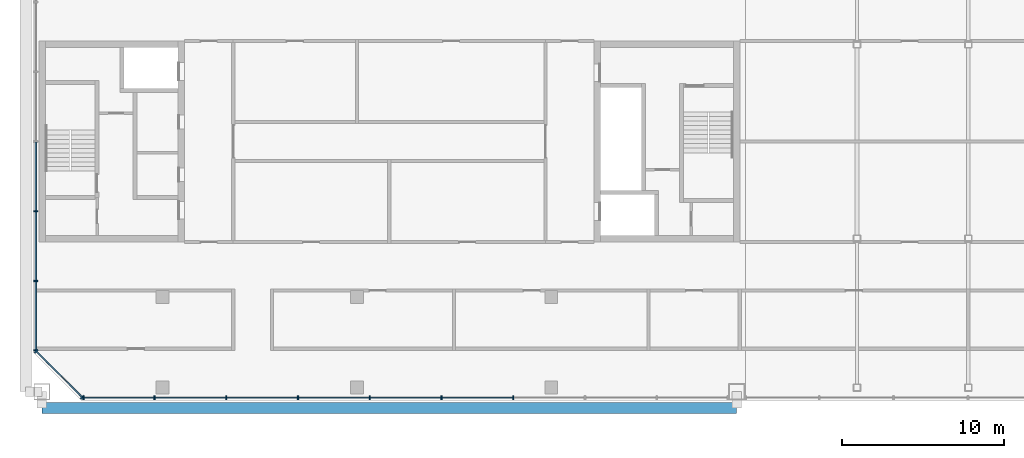
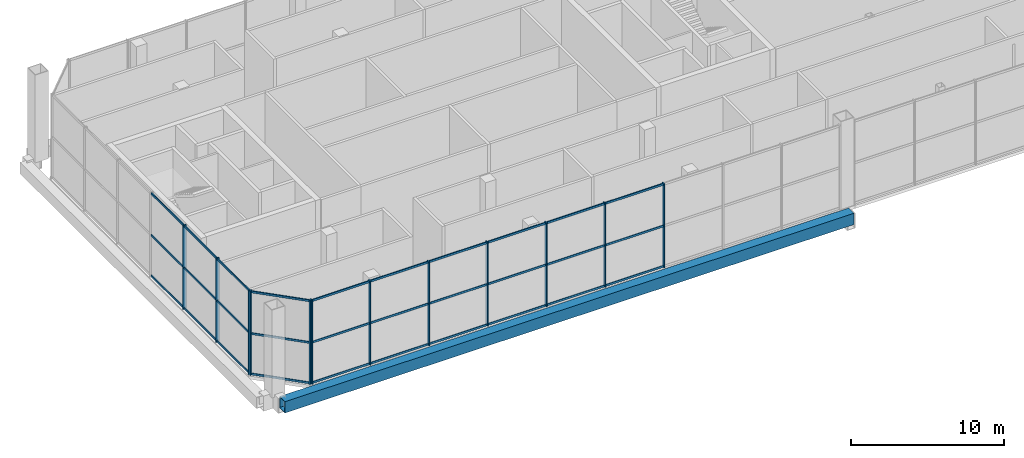
# One storey, part 4 of 27: 42 members, 1 beam, 3 elements without a shape of their own.
"""IFC4 building model written with IfcOpenShell, lengths in metres."""

from ifc_helpers import new_model, si_unit, direction, frame, origin, origin_2d, place, context, subcontext, project, spatial, rectangle, hollow_rectangle, extrude, material, material_profile, profile_set, type_object, element, aggregate, save


model = new_model("IFC4")

# Units and contexts
model_context = context("Model", 3, precision=1e-05, world=origin(), true_north=direction((0.0, 1.0)))
body_context = subcontext(model_context, "Body", "Model", "MODEL_VIEW")
ifc_project = project(units=[si_unit("LENGTHUNIT", "METRE"), si_unit("AREAUNIT", "SQUARE_METRE"), si_unit("VOLUMEUNIT", "CUBIC_METRE"), si_unit("PLANEANGLEUNIT", "RADIAN"), si_unit("MASSUNIT", "GRAM", prefix="KILO")], contexts=[model_context])

# Site, building, storey
site_placement = place(None, origin())
site = spatial("IfcSite", under=ifc_project, at=site_placement, CompositionType="ELEMENT")
building_placement = place(site_placement, origin())
building = spatial("IfcBuilding", under=site, at=building_placement, Name="Tuart Gate Housing", CompositionType="ELEMENT")
storey_placement = place(building_placement, frame((0.0, 0.0, 236.89990234375)))
storey = spatial("IfcBuildingStorey", under=building, at=storey_placement, Name="L67", CompositionType="ELEMENT", Elevation=236.89990234375)

# Curtain wall, members
ifc_material_1 = material(Name="Aluminium and clear glass", Category="aluminium")
curtain_wall_type = type_object("IfcCurtainWallType", Name="Damper floor glazing", PredefinedType="USERDEFINED", material=ifc_material_1)
curtain_wall_1_placement = place(storey_placement, origin())
curtain_wall_1 = element("IfcCurtainWall", 1, at=curtain_wall_1_placement, inside=storey, type_object=curtain_wall_type, Name="Damper floor glazing BLK-SW L67", ObjectType="DAMPER FLOOR GLAZING", PredefinedType="USERDEFINED")
ifc_material_2 = material(Name="Anodised aluminium", Category="aluminium")
ifc_material_profile_1 = material_profile(ifc_material_2, rectangle(XDim=0.080078125, YDim=0.25, at=origin_2d()), Name="80x250")
ifc_profile_set_1 = profile_set([ifc_material_profile_1], Name="Anodised aluminium")
member_type_1 = type_object("IfcMemberType", Name="Mullion 80 x 250", PredefinedType="MULLION", material=ifc_profile_set_1)
member_1_placement = place(storey_placement, frame((32.208251953125, 57.04638671875, 0.0), z_axis=(0.0, 0.0, 1.0), x_axis=(0.707106781187, -0.707106781187, 0.0)))
member_1 = element("IfcMember", 2, at=member_1_placement, type_object=member_type_1, Name="CW5 mullion 1", PredefinedType="MULLION", context=body_context, shape_type="SweptSolid", body=[
    extrude(rectangle(XDim=0.080078125, YDim=0.25, at=origin_2d()), origin(), (0.0, 0.0, 1.0), 6.7001953125),
])
member_2_placement = place(storey_placement, frame((35.04638671875, 54.208251953125, 0.0), z_axis=(0.0, 0.0, 1.0), x_axis=(0.707106781187, -0.707106781187, 0.0)))
member_2 = element("IfcMember", 3, at=member_2_placement, type_object=member_type_1, Name="CW5 mullion 2", PredefinedType="MULLION", context=body_context, shape_type="SweptSolid", body=[
    extrude(rectangle(XDim=0.080078125, YDim=0.25, at=origin_2d()), origin(), (0.0, 0.0, 1.0), 6.7001953125),
])

curtain_wall_2_placement = place(storey_placement, origin())
curtain_wall_2 = element("IfcCurtainWall", 4, at=curtain_wall_2_placement, inside=storey, type_object=curtain_wall_type, Name="Damper floor glazing BLK-S L67", ObjectType="DAMPER FLOOR GLAZING", PredefinedType="USERDEFINED")
member_3_placement = place(storey_placement, frame((35.114501953125, 54.179931640625, 0.0), z_axis=(0.0, 0.0, 1.0), x_axis=(1.0, 0.0, 0.0)))
member_3 = element("IfcMember", 5, at=member_3_placement, type_object=member_type_1, Name="CW5 mullion 1", PredefinedType="MULLION", context=body_context, shape_type="SweptSolid", body=[
    extrude(rectangle(XDim=0.080078125, YDim=0.25, at=origin_2d()), origin(), (0.0, 0.0, 1.0), 6.7001953125),
])
member_4_placement = place(storey_placement, frame((39.505126953125, 54.179931640625, 0.0), z_axis=(0.0, 0.0, 1.0), x_axis=(1.0, 0.0, 0.0)))
member_4 = element("IfcMember", 6, at=member_4_placement, type_object=member_type_1, Name="CW5 mullion 2", PredefinedType="MULLION", context=body_context, shape_type="SweptSolid", body=[
    extrude(rectangle(XDim=0.080078125, YDim=0.25, at=origin_2d()), origin(), (0.0, 0.0, 1.0), 6.7001953125),
])
member_5_placement = place(storey_placement, frame((43.935791015625, 54.179931640625, 0.0), z_axis=(0.0, 0.0, 1.0), x_axis=(1.0, 0.0, 0.0)))
member_5 = element("IfcMember", 7, at=member_5_placement, type_object=member_type_1, Name="CW5 mullion 3", PredefinedType="MULLION", context=body_context, shape_type="SweptSolid", body=[
    extrude(rectangle(XDim=0.080078125, YDim=0.25, at=origin_2d()), origin(), (0.0, 0.0, 1.0), 6.7001953125),
])
member_6_placement = place(storey_placement, frame((48.366455078125, 54.179931640625, 0.0), z_axis=(0.0, 0.0, 1.0), x_axis=(1.0, 0.0, 0.0)))
member_6 = element("IfcMember", 8, at=member_6_placement, type_object=member_type_1, Name="CW5 mullion 4", PredefinedType="MULLION", context=body_context, shape_type="SweptSolid", body=[
    extrude(rectangle(XDim=0.080078125, YDim=0.25, at=origin_2d()), origin(), (0.0, 0.0, 1.0), 6.7001953125),
])
member_7_placement = place(storey_placement, frame((52.797119140625, 54.179931640625, 0.0), z_axis=(0.0, 0.0, 1.0), x_axis=(1.0, 0.0, 0.0)))
member_7 = element("IfcMember", 9, at=member_7_placement, type_object=member_type_1, Name="CW5 mullion 5", PredefinedType="MULLION", context=body_context, shape_type="SweptSolid", body=[
    extrude(rectangle(XDim=0.080078125, YDim=0.25, at=origin_2d()), origin(), (0.0, 0.0, 1.0), 6.7001953125),
])
member_8_placement = place(storey_placement, frame((57.2275390625, 54.179931640625, 0.0), z_axis=(0.0, 0.0, 1.0), x_axis=(1.0, 0.0, 0.0)))
member_8 = element("IfcMember", 10, at=member_8_placement, type_object=member_type_1, Name="CW5 mullion 6", PredefinedType="MULLION", context=body_context, shape_type="SweptSolid", body=[
    extrude(rectangle(XDim=0.080078125, YDim=0.25, at=origin_2d()), origin(), (0.0, 0.0, 1.0), 6.7001953125),
])
member_9_placement = place(storey_placement, frame((61.658203125, 54.179931640625, 0.0), z_axis=(0.0, 0.0, 1.0), x_axis=(1.0, 0.0, 0.0)))
member_9 = element("IfcMember", 11, at=member_9_placement, type_object=member_type_1, Name="CW5 mullion 7", PredefinedType="MULLION", context=body_context, shape_type="SweptSolid", body=[
    extrude(rectangle(XDim=0.080078125, YDim=0.25, at=origin_2d()), origin(), (0.0, 0.0, 1.0), 6.7001953125),
])

curtain_wall_3_placement = place(storey_placement, origin())
curtain_wall_3 = element("IfcCurtainWall", 12, at=curtain_wall_3_placement, inside=storey, type_object=curtain_wall_type, Name="Damper floor glazing BLK-W L67", ObjectType="DAMPER FLOOR GLAZING", PredefinedType="USERDEFINED")
member_10_placement = place(storey_placement, frame((32.179931640625, 65.69140625, 0.0), z_axis=(0.0, 0.0, 1.0), x_axis=(0.0, -1.0, 0.0)))
member_10 = element("IfcMember", 13, at=member_10_placement, type_object=member_type_1, Name="CW5 mullion 5", PredefinedType="MULLION", context=body_context, shape_type="SweptSolid", body=[
    extrude(rectangle(XDim=0.080078125, YDim=0.25, at=origin_2d()), origin(), (0.0, 0.0, 1.0), 6.7001953125),
])
member_11_placement = place(storey_placement, frame((32.179931640625, 61.383056640625, 0.0), z_axis=(0.0, 0.0, 1.0), x_axis=(0.0, -1.0, 0.0)))
member_11 = element("IfcMember", 14, at=member_11_placement, type_object=member_type_1, Name="CW5 mullion 6", PredefinedType="MULLION", context=body_context, shape_type="SweptSolid", body=[
    extrude(rectangle(XDim=0.080078125, YDim=0.25, at=origin_2d()), origin(), (0.0, 0.0, 1.0), 6.7001953125),
])
member_12_placement = place(storey_placement, frame((32.179931640625, 57.114501953125, 0.0), z_axis=(0.0, 0.0, 1.0), x_axis=(0.0, -1.0, 0.0)))
member_12 = element("IfcMember", 15, at=member_12_placement, type_object=member_type_1, Name="CW5 mullion 7", PredefinedType="MULLION", context=body_context, shape_type="SweptSolid", body=[
    extrude(rectangle(XDim=0.080078125, YDim=0.25, at=origin_2d()), origin(), (0.0, 0.0, 1.0), 6.7001953125),
])

# Beam
ifc_material_3 = material(Name="Steel Grade 350", Category="steel")
ifc_material_profile_2 = material_profile(ifc_material_3, hollow_rectangle(XDim=0.699951171875, YDim=0.89990234375, WallThickness=0.0400390625, at=origin_2d()), Name="BOX 900x700x40")
ifc_profile_set_2 = profile_set([ifc_material_profile_2], Name="Steel Grade 350")
beam_type = type_object("IfcBeamType", Name="Tie beam BOX 900x700x40 (40.6-51.7 m)", PredefinedType="BEAM", material=ifc_profile_set_2)
beam_placement = place(storey_placement, frame((32.550048828125, 53.550048828125, -0.39990234375), z_axis=(1.0, 0.0, 0.0), x_axis=(0.0, 1.0, 0.0)))
element("IfcBeam", 16, at=beam_placement, inside=storey, type_object=beam_type, Name="Mega tie beam A node 8 south L67", PredefinedType="BEAM", context=body_context, shape_type="SweptSolid", body=[
    extrude(hollow_rectangle(XDim=0.699951171875, YDim=0.89990234375, WallThickness=0.0400390625, at=origin_2d()), origin(), (0.0, 0.0, 1.0), 42.89990234375),
])

# Member
ifc_material_4 = material(Name="Anodised aluminium", Category="aluminium")
ifc_material_profile_3 = material_profile(ifc_material_4, rectangle(XDim=0.080078125, YDim=0.159912109375, at=origin_2d()), Name="80x160")
ifc_profile_set_3 = profile_set([ifc_material_profile_3], Name="Anodised aluminium")
member_type_2 = type_object("IfcMemberType", Name="Transom 80 x 160", PredefinedType="USERDEFINED", material=ifc_profile_set_3)
member_13_placement = place(storey_placement, frame((32.236572265625, 57.01806640625, 0.080078125), z_axis=(0.707106781187, -0.707106781187, 0.0), x_axis=(0.707106781187, 0.707106781187, 0.0)))
member_13 = element("IfcMember", 17, at=member_13_placement, type_object=member_type_2, Name="CW5 transom 1.1", ObjectType="TRANSOM", PredefinedType="USERDEFINED", context=body_context, shape_type="SweptSolid", body=[
    extrude(rectangle(XDim=0.080078125, YDim=0.159912109375, at=origin_2d()), origin(), (0.0, 0.0, 1.0), 3.93359375),
])

member_14_placement = place(storey_placement, frame((32.236572265625, 57.01806640625, 3.300048828125), z_axis=(0.707106781187, -0.707106781187, 0.0), x_axis=(0.707106781187, 0.707106781187, 0.0)))
member_14 = element("IfcMember", 18, at=member_14_placement, type_object=member_type_2, Name="CW5 transom 1.2", ObjectType="TRANSOM", PredefinedType="USERDEFINED", context=body_context, shape_type="SweptSolid", body=[
    extrude(rectangle(XDim=0.080078125, YDim=0.159912109375, at=origin_2d()), origin(), (0.0, 0.0, 1.0), 3.93359375),
])

member_15_placement = place(storey_placement, frame((32.236572265625, 57.01806640625, 6.6201171875), z_axis=(0.707106781187, -0.707106781187, 0.0), x_axis=(0.707106781187, 0.707106781187, 0.0)))
member_15 = element("IfcMember", 19, at=member_15_placement, type_object=member_type_2, Name="CW5 transom 1.3", ObjectType="TRANSOM", PredefinedType="USERDEFINED", context=body_context, shape_type="SweptSolid", body=[
    extrude(rectangle(XDim=0.080078125, YDim=0.159912109375, at=origin_2d()), origin(), (0.0, 0.0, 1.0), 3.93359375),
])

aggregate(curtain_wall_1, [member_1, member_2, member_13, member_14, member_15])

member_16_placement = place(storey_placement, frame((35.154541015625, 54.179931640625, 0.080078125), z_axis=(1.0, 0.0, 0.0), x_axis=(0.0, 1.0, 0.0)))
member_16 = element("IfcMember", 20, at=member_16_placement, type_object=member_type_2, Name="CW5 transom 1.1", ObjectType="TRANSOM", PredefinedType="USERDEFINED", context=body_context, shape_type="SweptSolid", body=[
    extrude(rectangle(XDim=0.080078125, YDim=0.159912109375, at=origin_2d()), origin(), (0.0, 0.0, 1.0), 4.310546875),
])

member_17_placement = place(storey_placement, frame((35.154541015625, 54.179931640625, 3.300048828125), z_axis=(1.0, 0.0, 0.0), x_axis=(0.0, 1.0, 0.0)))
member_17 = element("IfcMember", 21, at=member_17_placement, type_object=member_type_2, Name="CW5 transom 1.2", ObjectType="TRANSOM", PredefinedType="USERDEFINED", context=body_context, shape_type="SweptSolid", body=[
    extrude(rectangle(XDim=0.080078125, YDim=0.159912109375, at=origin_2d()), origin(), (0.0, 0.0, 1.0), 4.310546875),
])

member_18_placement = place(storey_placement, frame((35.154541015625, 54.179931640625, 6.6201171875), z_axis=(1.0, 0.0, 0.0), x_axis=(0.0, 1.0, 0.0)))
member_18 = element("IfcMember", 22, at=member_18_placement, type_object=member_type_2, Name="CW5 transom 1.3", ObjectType="TRANSOM", PredefinedType="USERDEFINED", context=body_context, shape_type="SweptSolid", body=[
    extrude(rectangle(XDim=0.080078125, YDim=0.159912109375, at=origin_2d()), origin(), (0.0, 0.0, 1.0), 4.310546875),
])

member_19_placement = place(storey_placement, frame((39.545166015625, 54.179931640625, 0.080078125), z_axis=(1.0, 0.0, 0.0), x_axis=(0.0, 1.0, 0.0)))
member_19 = element("IfcMember", 23, at=member_19_placement, type_object=member_type_2, Name="CW5 transom 2.1", ObjectType="TRANSOM", PredefinedType="USERDEFINED", context=body_context, shape_type="SweptSolid", body=[
    extrude(rectangle(XDim=0.080078125, YDim=0.159912109375, at=origin_2d()), origin(), (0.0, 0.0, 1.0), 4.3505859375),
])

member_20_placement = place(storey_placement, frame((39.545166015625, 54.179931640625, 3.300048828125), z_axis=(1.0, 0.0, 0.0), x_axis=(0.0, 1.0, 0.0)))
member_20 = element("IfcMember", 24, at=member_20_placement, type_object=member_type_2, Name="CW5 transom 2.2", ObjectType="TRANSOM", PredefinedType="USERDEFINED", context=body_context, shape_type="SweptSolid", body=[
    extrude(rectangle(XDim=0.080078125, YDim=0.159912109375, at=origin_2d()), origin(), (0.0, 0.0, 1.0), 4.3505859375),
])

member_21_placement = place(storey_placement, frame((39.545166015625, 54.179931640625, 6.6201171875), z_axis=(1.0, 0.0, 0.0), x_axis=(0.0, 1.0, 0.0)))
member_21 = element("IfcMember", 25, at=member_21_placement, type_object=member_type_2, Name="CW5 transom 2.3", ObjectType="TRANSOM", PredefinedType="USERDEFINED", context=body_context, shape_type="SweptSolid", body=[
    extrude(rectangle(XDim=0.080078125, YDim=0.159912109375, at=origin_2d()), origin(), (0.0, 0.0, 1.0), 4.3505859375),
])

member_22_placement = place(storey_placement, frame((43.975830078125, 54.179931640625, 0.080078125), z_axis=(1.0, 0.0, 0.0), x_axis=(0.0, 1.0, 0.0)))
member_22 = element("IfcMember", 26, at=member_22_placement, type_object=member_type_2, Name="CW5 transom 3.1", ObjectType="TRANSOM", PredefinedType="USERDEFINED", context=body_context, shape_type="SweptSolid", body=[
    extrude(rectangle(XDim=0.080078125, YDim=0.159912109375, at=origin_2d()), origin(), (0.0, 0.0, 1.0), 4.3505859375),
])

member_23_placement = place(storey_placement, frame((43.975830078125, 54.179931640625, 3.300048828125), z_axis=(1.0, 0.0, 0.0), x_axis=(0.0, 1.0, 0.0)))
member_23 = element("IfcMember", 27, at=member_23_placement, type_object=member_type_2, Name="CW5 transom 3.2", ObjectType="TRANSOM", PredefinedType="USERDEFINED", context=body_context, shape_type="SweptSolid", body=[
    extrude(rectangle(XDim=0.080078125, YDim=0.159912109375, at=origin_2d()), origin(), (0.0, 0.0, 1.0), 4.3505859375),
])

member_24_placement = place(storey_placement, frame((43.975830078125, 54.179931640625, 6.6201171875), z_axis=(1.0, 0.0, 0.0), x_axis=(0.0, 1.0, 0.0)))
member_24 = element("IfcMember", 28, at=member_24_placement, type_object=member_type_2, Name="CW5 transom 3.3", ObjectType="TRANSOM", PredefinedType="USERDEFINED", context=body_context, shape_type="SweptSolid", body=[
    extrude(rectangle(XDim=0.080078125, YDim=0.159912109375, at=origin_2d()), origin(), (0.0, 0.0, 1.0), 4.3505859375),
])

member_25_placement = place(storey_placement, frame((48.406494140625, 54.179931640625, 0.080078125), z_axis=(1.0, 0.0, 0.0), x_axis=(0.0, 1.0, 0.0)))
member_25 = element("IfcMember", 29, at=member_25_placement, type_object=member_type_2, Name="CW5 transom 4.1", ObjectType="TRANSOM", PredefinedType="USERDEFINED", context=body_context, shape_type="SweptSolid", body=[
    extrude(rectangle(XDim=0.080078125, YDim=0.159912109375, at=origin_2d()), origin(), (0.0, 0.0, 1.0), 4.3505859375),
])

member_26_placement = place(storey_placement, frame((48.406494140625, 54.179931640625, 3.300048828125), z_axis=(1.0, 0.0, 0.0), x_axis=(0.0, 1.0, 0.0)))
member_26 = element("IfcMember", 30, at=member_26_placement, type_object=member_type_2, Name="CW5 transom 4.2", ObjectType="TRANSOM", PredefinedType="USERDEFINED", context=body_context, shape_type="SweptSolid", body=[
    extrude(rectangle(XDim=0.080078125, YDim=0.159912109375, at=origin_2d()), origin(), (0.0, 0.0, 1.0), 4.3505859375),
])

member_27_placement = place(storey_placement, frame((48.406494140625, 54.179931640625, 6.6201171875), z_axis=(1.0, 0.0, 0.0), x_axis=(0.0, 1.0, 0.0)))
member_27 = element("IfcMember", 31, at=member_27_placement, type_object=member_type_2, Name="CW5 transom 4.3", ObjectType="TRANSOM", PredefinedType="USERDEFINED", context=body_context, shape_type="SweptSolid", body=[
    extrude(rectangle(XDim=0.080078125, YDim=0.159912109375, at=origin_2d()), origin(), (0.0, 0.0, 1.0), 4.3505859375),
])

member_28_placement = place(storey_placement, frame((52.8369140625, 54.179931640625, 0.080078125), z_axis=(1.0, 0.0, 0.0), x_axis=(0.0, 1.0, 0.0)))
member_28 = element("IfcMember", 32, at=member_28_placement, type_object=member_type_2, Name="CW5 transom 5.1", ObjectType="TRANSOM", PredefinedType="USERDEFINED", context=body_context, shape_type="SweptSolid", body=[
    extrude(rectangle(XDim=0.080078125, YDim=0.159912109375, at=origin_2d()), origin(), (0.0, 0.0, 1.0), 4.3505859375),
])

member_29_placement = place(storey_placement, frame((52.8369140625, 54.179931640625, 3.300048828125), z_axis=(1.0, 0.0, 0.0), x_axis=(0.0, 1.0, 0.0)))
member_29 = element("IfcMember", 33, at=member_29_placement, type_object=member_type_2, Name="CW5 transom 5.2", ObjectType="TRANSOM", PredefinedType="USERDEFINED", context=body_context, shape_type="SweptSolid", body=[
    extrude(rectangle(XDim=0.080078125, YDim=0.159912109375, at=origin_2d()), origin(), (0.0, 0.0, 1.0), 4.3505859375),
])

member_30_placement = place(storey_placement, frame((52.8369140625, 54.179931640625, 6.6201171875), z_axis=(1.0, 0.0, 0.0), x_axis=(0.0, 1.0, 0.0)))
member_30 = element("IfcMember", 34, at=member_30_placement, type_object=member_type_2, Name="CW5 transom 5.3", ObjectType="TRANSOM", PredefinedType="USERDEFINED", context=body_context, shape_type="SweptSolid", body=[
    extrude(rectangle(XDim=0.080078125, YDim=0.159912109375, at=origin_2d()), origin(), (0.0, 0.0, 1.0), 4.3505859375),
])

member_31_placement = place(storey_placement, frame((57.267578125, 54.179931640625, 0.080078125), z_axis=(1.0, 0.0, 0.0), x_axis=(0.0, 1.0, 0.0)))
member_31 = element("IfcMember", 35, at=member_31_placement, type_object=member_type_2, Name="CW5 transom 6.1", ObjectType="TRANSOM", PredefinedType="USERDEFINED", context=body_context, shape_type="SweptSolid", body=[
    extrude(rectangle(XDim=0.080078125, YDim=0.159912109375, at=origin_2d()), origin(), (0.0, 0.0, 1.0), 4.3505859375),
])

member_32_placement = place(storey_placement, frame((57.267578125, 54.179931640625, 3.300048828125), z_axis=(1.0, 0.0, 0.0), x_axis=(0.0, 1.0, 0.0)))
member_32 = element("IfcMember", 36, at=member_32_placement, type_object=member_type_2, Name="CW5 transom 6.2", ObjectType="TRANSOM", PredefinedType="USERDEFINED", context=body_context, shape_type="SweptSolid", body=[
    extrude(rectangle(XDim=0.080078125, YDim=0.159912109375, at=origin_2d()), origin(), (0.0, 0.0, 1.0), 4.3505859375),
])

member_33_placement = place(storey_placement, frame((57.267578125, 54.179931640625, 6.6201171875), z_axis=(1.0, 0.0, 0.0), x_axis=(0.0, 1.0, 0.0)))
member_33 = element("IfcMember", 37, at=member_33_placement, type_object=member_type_2, Name="CW5 transom 6.3", ObjectType="TRANSOM", PredefinedType="USERDEFINED", context=body_context, shape_type="SweptSolid", body=[
    extrude(rectangle(XDim=0.080078125, YDim=0.159912109375, at=origin_2d()), origin(), (0.0, 0.0, 1.0), 4.3505859375),
])

aggregate(curtain_wall_2, [member_3, member_4, member_5, member_6, member_7, member_8, member_9, member_16, member_17, member_18, member_19, member_20, member_21, member_22, member_23, member_24, member_25, member_26, member_27, member_28, member_29, member_30, member_31, member_32, member_33])

member_34_placement = place(storey_placement, frame((32.179931640625, 69.9599609375, 0.080078125), z_axis=(0.0, -1.0, 0.0), x_axis=(1.0, 0.0, 0.0)))
member_34 = element("IfcMember", 38, at=member_34_placement, type_object=member_type_2, Name="CW5 transom 4.1", ObjectType="TRANSOM", PredefinedType="USERDEFINED", context=body_context, shape_type="SweptSolid", body=[
    extrude(rectangle(XDim=0.080078125, YDim=0.159912109375, at=origin_2d()), origin(), (0.0, 0.0, 1.0), 4.228515625),
])

member_35_placement = place(storey_placement, frame((32.179931640625, 69.9599609375, 3.300048828125), z_axis=(0.0, -1.0, 0.0), x_axis=(1.0, 0.0, 0.0)))
member_35 = element("IfcMember", 39, at=member_35_placement, type_object=member_type_2, Name="CW5 transom 4.2", ObjectType="TRANSOM", PredefinedType="USERDEFINED", context=body_context, shape_type="SweptSolid", body=[
    extrude(rectangle(XDim=0.080078125, YDim=0.159912109375, at=origin_2d()), origin(), (0.0, 0.0, 1.0), 4.228515625),
])

member_36_placement = place(storey_placement, frame((32.179931640625, 69.9599609375, 6.6201171875), z_axis=(0.0, -1.0, 0.0), x_axis=(1.0, 0.0, 0.0)))
member_36 = element("IfcMember", 40, at=member_36_placement, type_object=member_type_2, Name="CW5 transom 4.3", ObjectType="TRANSOM", PredefinedType="USERDEFINED", context=body_context, shape_type="SweptSolid", body=[
    extrude(rectangle(XDim=0.080078125, YDim=0.159912109375, at=origin_2d()), origin(), (0.0, 0.0, 1.0), 4.228515625),
])

member_37_placement = place(storey_placement, frame((32.179931640625, 65.6513671875, 0.080078125), z_axis=(0.0, -1.0, 0.0), x_axis=(1.0, 0.0, 0.0)))
member_37 = element("IfcMember", 41, at=member_37_placement, type_object=member_type_2, Name="CW5 transom 5.1", ObjectType="TRANSOM", PredefinedType="USERDEFINED", context=body_context, shape_type="SweptSolid", body=[
    extrude(rectangle(XDim=0.080078125, YDim=0.159912109375, at=origin_2d()), origin(), (0.0, 0.0, 1.0), 4.228271484375),
])

member_38_placement = place(storey_placement, frame((32.179931640625, 65.6513671875, 3.300048828125), z_axis=(0.0, -1.0, 0.0), x_axis=(1.0, 0.0, 0.0)))
member_38 = element("IfcMember", 42, at=member_38_placement, type_object=member_type_2, Name="CW5 transom 5.2", ObjectType="TRANSOM", PredefinedType="USERDEFINED", context=body_context, shape_type="SweptSolid", body=[
    extrude(rectangle(XDim=0.080078125, YDim=0.159912109375, at=origin_2d()), origin(), (0.0, 0.0, 1.0), 4.228271484375),
])

member_39_placement = place(storey_placement, frame((32.179931640625, 65.6513671875, 6.6201171875), z_axis=(0.0, -1.0, 0.0), x_axis=(1.0, 0.0, 0.0)))
member_39 = element("IfcMember", 43, at=member_39_placement, type_object=member_type_2, Name="CW5 transom 5.3", ObjectType="TRANSOM", PredefinedType="USERDEFINED", context=body_context, shape_type="SweptSolid", body=[
    extrude(rectangle(XDim=0.080078125, YDim=0.159912109375, at=origin_2d()), origin(), (0.0, 0.0, 1.0), 4.228271484375),
])

member_40_placement = place(storey_placement, frame((32.179931640625, 61.343017578125, 0.080078125), z_axis=(0.0, -1.0, 0.0), x_axis=(1.0, 0.0, 0.0)))
member_40 = element("IfcMember", 44, at=member_40_placement, type_object=member_type_2, Name="CW5 transom 6.1", ObjectType="TRANSOM", PredefinedType="USERDEFINED", context=body_context, shape_type="SweptSolid", body=[
    extrude(rectangle(XDim=0.080078125, YDim=0.159912109375, at=origin_2d()), origin(), (0.0, 0.0, 1.0), 4.1884765625),
])

member_41_placement = place(storey_placement, frame((32.179931640625, 61.343017578125, 3.300048828125), z_axis=(0.0, -1.0, 0.0), x_axis=(1.0, 0.0, 0.0)))
member_41 = element("IfcMember", 45, at=member_41_placement, type_object=member_type_2, Name="CW5 transom 6.2", ObjectType="TRANSOM", PredefinedType="USERDEFINED", context=body_context, shape_type="SweptSolid", body=[
    extrude(rectangle(XDim=0.080078125, YDim=0.159912109375, at=origin_2d()), origin(), (0.0, 0.0, 1.0), 4.1884765625),
])

member_42_placement = place(storey_placement, frame((32.179931640625, 61.343017578125, 6.6201171875), z_axis=(0.0, -1.0, 0.0), x_axis=(1.0, 0.0, 0.0)))
member_42 = element("IfcMember", 46, at=member_42_placement, type_object=member_type_2, Name="CW5 transom 6.3", ObjectType="TRANSOM", PredefinedType="USERDEFINED", context=body_context, shape_type="SweptSolid", body=[
    extrude(rectangle(XDim=0.080078125, YDim=0.159912109375, at=origin_2d()), origin(), (0.0, 0.0, 1.0), 4.1884765625),
])

aggregate(curtain_wall_3, [member_10, member_11, member_12, member_34, member_35, member_36, member_37, member_38, member_39, member_40, member_41, member_42])

save(model, "model.ifc")
